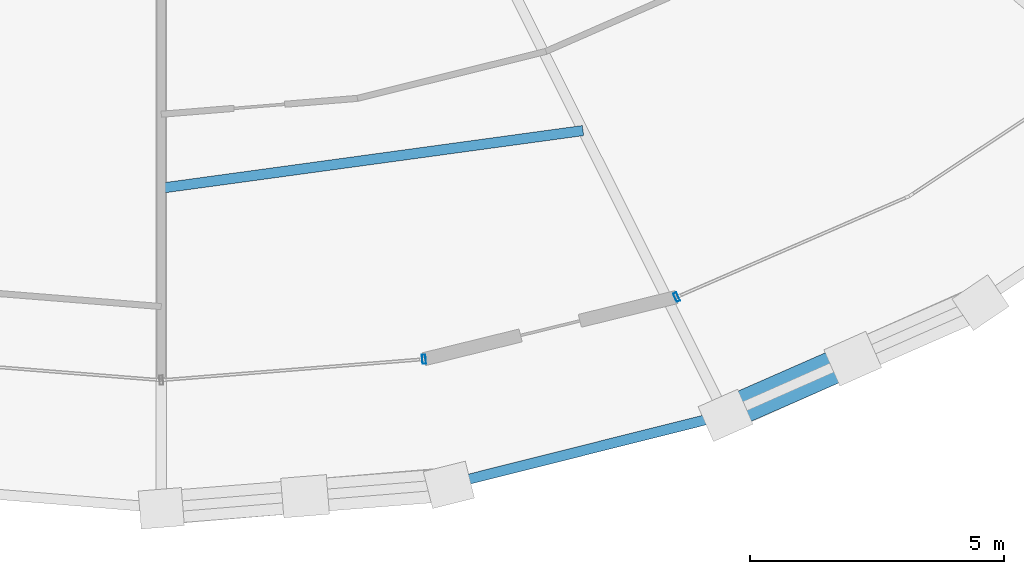
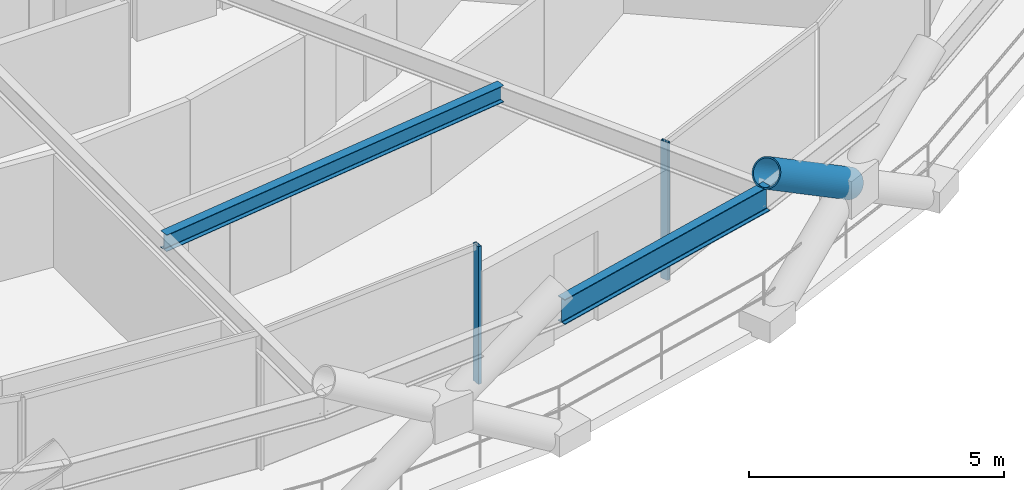
# One storey, part 6 of 22: 3 members, 2 beams, 2 elements without a shape of their own.
"""IFC4 building model written with IfcOpenShell, lengths in metres."""

from ifc_helpers import new_model, si_unit, direction, frame, origin, origin_2d, place, context, subcontext, project, spatial, hollow_rectangle, hollow_circle, i_section, extrude, material, layer, layer_set, material_profile, profile_set, type_object, element, aggregate, save


model = new_model("IFC4")

# Units and contexts
model_context = context("Model", 3, precision=1e-05, world=origin(), true_north=direction((0.0, 1.0)))
body_context = subcontext(model_context, "Body", "Model", "MODEL_VIEW")
ifc_project = project(units=[si_unit("LENGTHUNIT", "METRE"), si_unit("AREAUNIT", "SQUARE_METRE"), si_unit("VOLUMEUNIT", "CUBIC_METRE"), si_unit("PLANEANGLEUNIT", "RADIAN"), si_unit("MASSUNIT", "GRAM", prefix="KILO")], contexts=[model_context])

# Site, building, storey
site_placement = place(None, origin())
site = spatial("IfcSite", under=ifc_project, at=site_placement, CompositionType="ELEMENT")
building_placement = place(site_placement, origin())
building = spatial("IfcBuilding", under=site, at=building_placement, Name="Veldorina Hangang Commons", CompositionType="ELEMENT")
storey_placement = place(building_placement, frame((0.0, 0.0, 80.800048828125)))
storey = spatial("IfcBuildingStorey", under=building, at=storey_placement, Name="L20", CompositionType="ELEMENT", Elevation=80.800048828125)

# Beams
ifc_material_1 = material(Name="Steel SM355-TMC", Category="steel")
ifc_material_profile_1 = material_profile(ifc_material_1, i_section(OverallWidth=0.199951171875, OverallDepth=0.39990234375, WebThickness=0.008056640625, FlangeThickness=0.012939453125, FilletRadius=0.012939453125, at=origin_2d()), Name="H-400x200x8x13")
ifc_profile_set_1 = profile_set([ifc_material_profile_1], Name="Steel SM355-TMC")
beam_type_1 = type_object("IfcBeamType", Name="BM-JST400", PredefinedType="JOIST", material=ifc_profile_set_1)
beam_1_placement = place(storey_placement, frame((32.0, 6.296630859375, 3.139892578125), z_axis=(0.990811166451, 0.135252476636, 0.0), x_axis=(-0.135252476636, 0.990811166451, 0.0)))
element("IfcBeam", 1, at=beam_1_placement, inside=storey, type_object=beam_type_1, Name="L20 secondary floor joist 13", PredefinedType="JOIST", context=body_context, shape_type="SweptSolid", body=[
    extrude(i_section(OverallWidth=0.199951171875, OverallDepth=0.39990234375, WebThickness=0.008056640625, FlangeThickness=0.012939453125, FilletRadius=0.012939453125, at=origin_2d()), origin(), (0.0, 0.0, 1.0), 8.3701171875),
])
ifc_material_2 = material(Name="Steel SM420-TMC", Category="steel")
ifc_material_profile_2 = material_profile(ifc_material_2, i_section(OverallWidth=0.199951171875, OverallDepth=0.60009765625, WebThickness=0.010986328125, FlangeThickness=0.01708984375, FilletRadius=0.01806640625, at=origin_2d()), Name="H-600x200x11x17")
ifc_profile_set_2 = profile_set([ifc_material_profile_2], Name="Steel SM420-TMC")
beam_type_2 = type_object("IfcBeamType", Name="BM-RB600", PredefinedType="BEAM", material=ifc_profile_set_2)
beam_2_placement = place(storey_placement, frame((37.654052734375, 0.473388671875, 3.0400390625), z_axis=(0.96990120544, 0.243498771424, 0.0), x_axis=(-0.243498771424, 0.96990120544, 0.0)))
element("IfcBeam", 2, at=beam_2_placement, inside=storey, type_object=beam_type_2, Name="L20 perimeter hoop ring beam 25", PredefinedType="BEAM", context=body_context, shape_type="SweptSolid", body=[
    extrude(i_section(OverallWidth=0.199951171875, OverallDepth=0.60009765625, WebThickness=0.010986328125, FlangeThickness=0.01708984375, FilletRadius=0.01806640625, at=origin_2d()), origin(), (0.0, 0.0, 1.0), 5.605712890625),
])

# Curtain wall, member
ifc_material_3 = material(Name="Glass Low-E Triple IGU", Category="glass")
ifc_layer = layer(ifc_material_3, 0.179931640625)
ifc_layer_set = layer_set([ifc_layer], Name="Glass Low-E Triple IGU")
curtain_wall_type = type_object("IfcCurtainWallType", Name="CW-SYS-Z1", PredefinedType="NOTDEFINED", material=ifc_layer_set)
curtain_wall_1_placement = place(storey_placement, origin())
curtain_wall_1 = element("IfcCurtainWall", 3, at=curtain_wall_1_placement, inside=storey, type_object=curtain_wall_type, Name="L20 unitised curtain wall CW-L20-R1", PredefinedType="NOTDEFINED")
ifc_material_4 = material(Name="Aluminium Anodized AA6063-T6", Category="aluminium")
ifc_material_profile_3 = material_profile(ifc_material_4, hollow_rectangle(XDim=0.070068359375, YDim=0.179931640625, WallThickness=0.00390625, at=origin_2d()), Name="ALU-RHS-180x70x4")
ifc_profile_set_3 = profile_set([ifc_material_profile_3], Name="Aluminium Anodized AA6063-T6")
member_type_1 = type_object("IfcMemberType", Name="CW-MUL-180", PredefinedType="MULLION", material=ifc_profile_set_3)
member_1_placement = place(storey_placement, frame((37.166015625, 2.9326171875, 0.0), z_axis=(0.0, 0.0, 1.0), x_axis=(-0.996823514521, -0.079642205503, 0.0)))
member_1 = element("IfcMember", 4, at=member_1_placement, type_object=member_type_1, Name="CW-L20-R1 vertical mullion 4", PredefinedType="MULLION", context=body_context, shape_type="SweptSolid", body=[
    extrude(hollow_rectangle(XDim=0.070068359375, YDim=0.179931640625, WallThickness=0.00390625, at=origin_2d()), origin(), (0.0, 0.0, 1.0), 3.300048828125),
])
aggregate(curtain_wall_1, [member_1])

curtain_wall_2_placement = place(storey_placement, origin())
curtain_wall_2 = element("IfcCurtainWall", 5, at=curtain_wall_2_placement, inside=storey, type_object=curtain_wall_type, Name="L20 unitised curtain wall CW-L20-R2", PredefinedType="NOTDEFINED")
member_2_placement = place(storey_placement, frame((42.133544921875, 4.155029296875, 0.0), z_axis=(0.0, 0.0, 1.0), x_axis=(0.917477140523, 0.397788507398, 0.0)))
member_2 = element("IfcMember", 6, at=member_2_placement, type_object=member_type_1, Name="CW-L20-R2 vertical mullion 1", PredefinedType="MULLION", context=body_context, shape_type="SweptSolid", body=[
    extrude(hollow_rectangle(XDim=0.070068359375, YDim=0.179931640625, WallThickness=0.00390625, at=origin_2d()), origin(), (0.0, 0.0, 1.0), 3.300048828125),
])
aggregate(curtain_wall_2, [member_2])

# Member
ifc_material_5 = material(Name="Steel SM460-TMC", Category="steel")
ifc_material_profile_4 = material_profile(ifc_material_5, hollow_circle(Radius=0.324951171875, WallThickness=0.031982421875, at=origin_2d()), Name="CHS-650x32")
ifc_profile_set_4 = profile_set([ifc_material_profile_4], Name="Steel SM460-TMC")
member_type_2 = type_object("IfcMemberType", Name="DG-CHS650", PredefinedType="BRACE", material=ifc_profile_set_4)
member_3_placement = place(storey_placement, frame((45.599609375, 2.9423828125, 1.800537109375), z_axis=(-0.765455642503, -0.336040983912, 0.548775105569), x_axis=(0.401977312186, -0.91564962758, 0.0)))
element("IfcMember", 7, at=member_3_placement, inside=storey, type_object=member_type_2, Name="L20 split perimeter diagrid upper brace 27", PredefinedType="BRACE", context=body_context, shape_type="SweptSolid", body=[
    extrude(hollow_circle(Radius=0.324951171875, WallThickness=0.031982421875, at=origin_2d()), origin(), (0.0, 0.0, 1.0), 3.27880859375),
])

save(model, "model.ifc")
